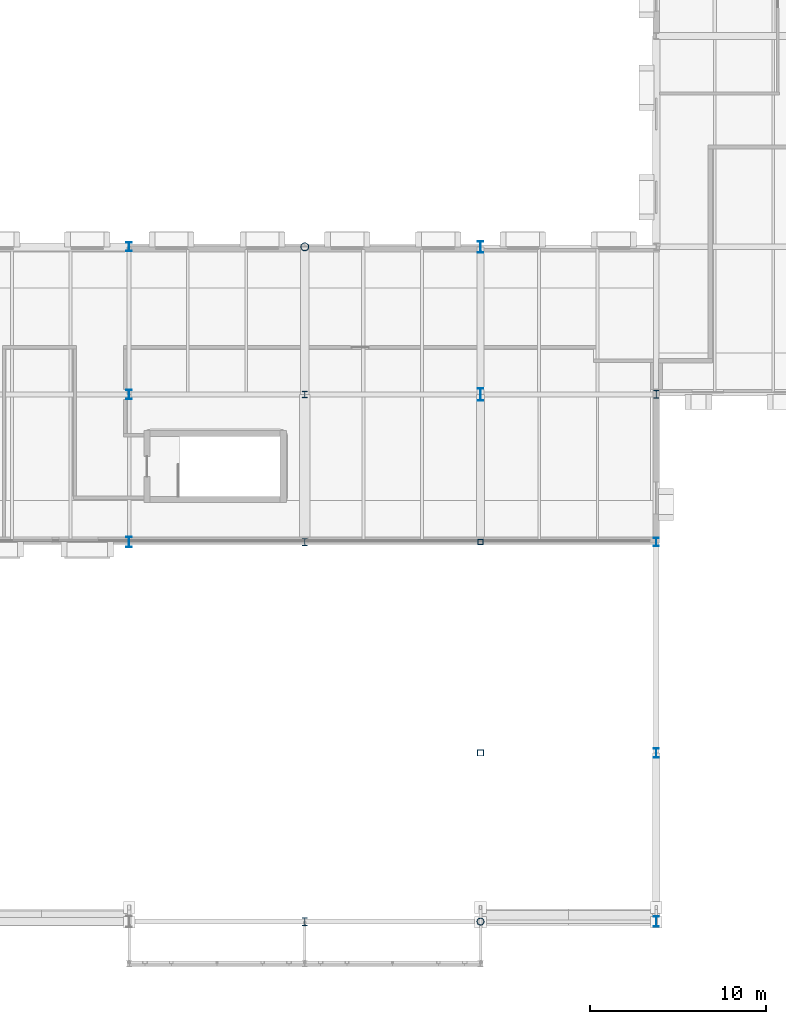
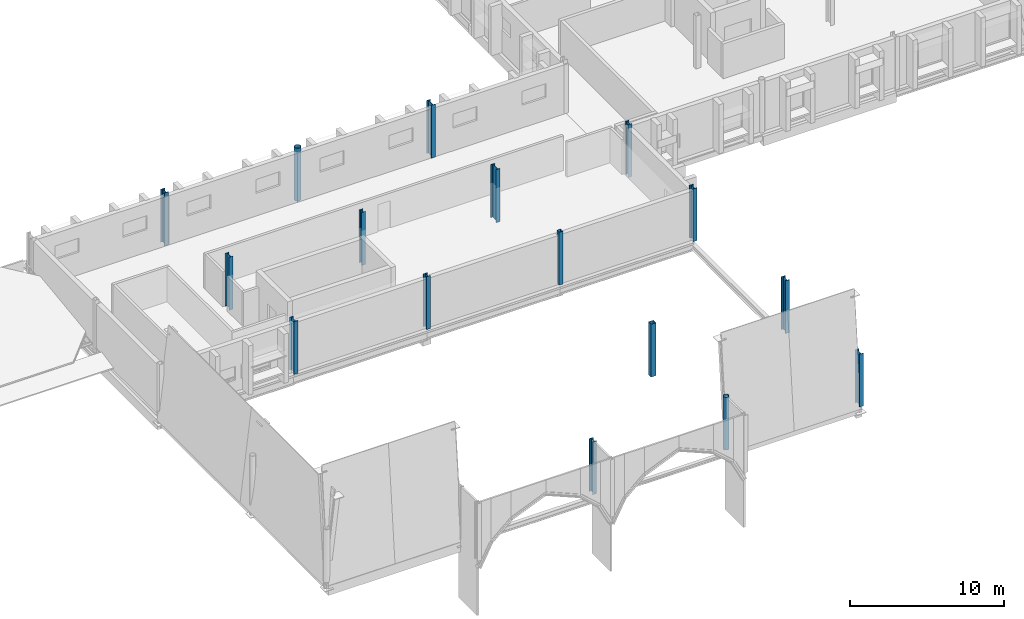
# One storey, part 17 of 90: 16 columns.
"""IFC4 building model written with IfcOpenShell, lengths in metres."""

from ifc_helpers import new_model, si_unit, direction, frame, origin, origin_2d, place, context, subcontext, project, spatial, hollow_rectangle, hollow_circle, i_section, extrude, material, material_profile, profile_set, type_object, element, save


model = new_model("IFC4")

# Units and contexts
model_context = context("Model", 3, precision=1e-05, world=origin(), true_north=direction((0.0, 1.0)))
body_context = subcontext(model_context, "Body", "Model", "MODEL_VIEW")
ifc_project = project(units=[si_unit("LENGTHUNIT", "METRE"), si_unit("AREAUNIT", "SQUARE_METRE"), si_unit("VOLUMEUNIT", "CUBIC_METRE"), si_unit("PLANEANGLEUNIT", "RADIAN"), si_unit("MASSUNIT", "GRAM", prefix="KILO")], contexts=[model_context])

# Site, building, storey
site_placement = place(None, origin())
site = spatial("IfcSite", under=ifc_project, at=site_placement, CompositionType="ELEMENT")
building_placement = place(site_placement, origin())
building = spatial("IfcBuilding", under=site, at=building_placement, Name="Zereglee Splitstone Museum", CompositionType="ELEMENT")
storey_placement = place(building_placement, frame((0.0, 0.0, 4.800048828125)))
storey = spatial("IfcBuildingStorey", under=building, at=storey_placement, Name="L01", CompositionType="ELEMENT", Elevation=4.800048828125)

# Columns
ifc_material_1 = material(Name="Steel S355J2H", Category="steel")
ifc_material_profile_1 = material_profile(ifc_material_1, hollow_circle(Radius=0.203125, WallThickness=0.02001953125, at=origin_2d()), Name="CHS 406.4x20")
ifc_profile_set_1 = profile_set([ifc_material_profile_1], Name="Steel S355J2H")
column_type_1 = type_object("IfcColumnType", Name="C-18", PredefinedType="COLUMN", material=ifc_profile_set_1)
column_1_placement = place(storey_placement, frame((286.0, 0.0, 0.0), z_axis=(0.0, 0.0, 1.0), x_axis=(1.0, 0.0, 0.0)))
element("IfcColumn", 1, at=column_1_placement, inside=storey, type_object=column_type_1, Name="Column 32/A L01", PredefinedType="COLUMN", context=body_context, shape_type="SweptSolid", body=[
    extrude(hollow_circle(Radius=0.203125, WallThickness=0.02001953125, at=origin_2d()), origin(), (0.0, 0.0, 1.0), 4.199951171875),
])
ifc_material_profile_2 = material_profile(ifc_material_1, hollow_circle(Radius=0.228515625, WallThickness=0.02001953125, at=origin_2d()), Name="CHS 457.0x20")
ifc_profile_set_2 = profile_set([ifc_material_profile_2], Name="Steel S355J2H")
column_type_2 = type_object("IfcColumnType", Name="C-17", PredefinedType="COLUMN", material=ifc_profile_set_2)
column_2_placement = place(storey_placement, frame((276.0, 38.39990234375, 0.0), z_axis=(0.0, 0.0, 1.0), x_axis=(1.0, 0.0, 0.0)))
element("IfcColumn", 2, at=column_2_placement, inside=storey, type_object=column_type_2, Name="Column 31/E L01", PredefinedType="COLUMN", context=body_context, shape_type="SweptSolid", body=[
    extrude(hollow_circle(Radius=0.228515625, WallThickness=0.02001953125, at=origin_2d()), origin(), (0.0, 0.0, 1.0), 4.199951171875),
])
ifc_material_2 = material(Name="Steel S355J2", Category="steel")
ifc_material_profile_3 = material_profile(ifc_material_2, i_section(OverallWidth=0.300048828125, OverallDepth=0.360107421875, WebThickness=0.012451171875, FlangeThickness=0.0224609375, FilletRadius=0.027099609375, at=origin_2d()), Name="HE 360 B")
ifc_profile_set_3 = profile_set([ifc_material_profile_3], Name="Steel S355J2")
column_type_3 = type_object("IfcColumnType", Name="C-16", PredefinedType="COLUMN", material=ifc_profile_set_3)
column_3_placement = place(storey_placement, frame((276.0, 30.0, 0.0), z_axis=(0.0, 0.0, 1.0), x_axis=(1.0, 0.0, 0.0)))
element("IfcColumn", 3, at=column_3_placement, inside=storey, type_object=column_type_3, Name="Column 31/D L01", PredefinedType="COLUMN", context=body_context, shape_type="SweptSolid", body=[
    extrude(i_section(OverallWidth=0.300048828125, OverallDepth=0.360107421875, WebThickness=0.012451171875, FlangeThickness=0.0224609375, FilletRadius=0.027099609375, at=origin_2d()), origin(), (0.0, 0.0, 1.0), 4.199951171875),
])
ifc_material_profile_4 = material_profile(ifc_material_2, i_section(OverallWidth=0.300048828125, OverallDepth=0.39990234375, WebThickness=0.013427734375, FlangeThickness=0.02392578125, FilletRadius=0.027099609375, at=origin_2d()), Name="HE 400 B")
ifc_profile_set_4 = profile_set([ifc_material_profile_4], Name="Steel S355J2")
column_type_4 = type_object("IfcColumnType", Name="C-15", PredefinedType="COLUMN", material=ifc_profile_set_4)
column_4_placement = place(storey_placement, frame((276.0, 21.60009765625, 0.0), z_axis=(0.0, 0.0, 1.0), x_axis=(1.0, 0.0, 0.0)))
element("IfcColumn", 4, at=column_4_placement, inside=storey, type_object=column_type_4, Name="Column 31/C L01", PredefinedType="COLUMN", context=body_context, shape_type="SweptSolid", body=[
    extrude(i_section(OverallWidth=0.300048828125, OverallDepth=0.39990234375, WebThickness=0.013427734375, FlangeThickness=0.02392578125, FilletRadius=0.027099609375, at=origin_2d()), origin(), (0.0, 0.0, 1.0), 4.199951171875),
])
ifc_material_profile_5 = material_profile(ifc_material_2, i_section(OverallWidth=0.300048828125, OverallDepth=0.449951171875, WebThickness=0.013916015625, FlangeThickness=0.02587890625, FilletRadius=0.027099609375, at=origin_2d()), Name="HE 450 B")
ifc_profile_set_5 = profile_set([ifc_material_profile_5], Name="Steel S355J2")
column_type_5 = type_object("IfcColumnType", Name="C-14", PredefinedType="COLUMN", material=ifc_profile_set_5)
for number, where, z_axis, x_axis, name in (
    (5, (276.0, 0.0, 0.0), (0.0, 0.0, 1.0), (1.0, 0.0, 0.0), "Column 31/A L01"),
    (6, (296.0, 30.0, 0.0), (0.0, 0.0, 1.0), (1.0, 0.0, 0.0), "Column 33/D L01"),
):
    element("IfcColumn", number, at=place(storey_placement, frame(where, z_axis=z_axis, x_axis=x_axis)), inside=storey, type_object=column_type_5, Name=name, PredefinedType="COLUMN", context=body_context, shape_type="SweptSolid", body=[
        extrude(i_section(OverallWidth=0.300048828125, OverallDepth=0.449951171875, WebThickness=0.013916015625, FlangeThickness=0.02587890625, FilletRadius=0.027099609375, at=origin_2d()), origin(), (0.0, 0.0, 1.0), 4.199951171875),
    ])
ifc_material_profile_6 = material_profile(ifc_material_2, i_section(OverallWidth=0.300048828125, OverallDepth=0.5, WebThickness=0.014404296875, FlangeThickness=0.028076171875, FilletRadius=0.027099609375, at=origin_2d()), Name="HE 500 B")
ifc_profile_set_6 = profile_set([ifc_material_profile_6], Name="Steel S355J2")
column_type_6 = type_object("IfcColumnType", Name="C-13", PredefinedType="COLUMN", material=ifc_profile_set_6)
for number, where, z_axis, x_axis, name in (
    (7, (266.0, 38.39990234375, 0.0), (0.0, 0.0, 1.0), (1.0, 0.0, 0.0), "Column 30/E L01"),
    (8, (296.0, 21.60009765625, 0.0), (0.0, 0.0, 1.0), (1.0, 0.0, 0.0), "Column 33/C L01"),
):
    element("IfcColumn", number, at=place(storey_placement, frame(where, z_axis=z_axis, x_axis=x_axis)), inside=storey, type_object=column_type_6, Name=name, PredefinedType="COLUMN", context=body_context, shape_type="SweptSolid", body=[
        extrude(i_section(OverallWidth=0.300048828125, OverallDepth=0.5, WebThickness=0.014404296875, FlangeThickness=0.028076171875, FilletRadius=0.027099609375, at=origin_2d()), origin(), (0.0, 0.0, 1.0), 4.199951171875),
    ])
ifc_material_profile_7 = material_profile(ifc_material_2, i_section(OverallWidth=0.300048828125, OverallDepth=0.550048828125, WebThickness=0.014892578125, FlangeThickness=0.029052734375, FilletRadius=0.027099609375, at=origin_2d()), Name="HE 550 B")
ifc_profile_set_7 = profile_set([ifc_material_profile_7], Name="Steel S355J2")
column_type_7 = type_object("IfcColumnType", Name="C-12", PredefinedType="COLUMN", material=ifc_profile_set_7)
for number, where, z_axis, x_axis, name in (
    (9, (266.0, 30.0, 0.0), (0.0, 0.0, 1.0), (1.0, 0.0, 0.0), "Column 30/D L01"),
    (10, (296.0, 9.60009765625, 0.0), (0.0, 0.0, 1.0), (1.0, 0.0, 0.0), "Column 33/B L01"),
):
    element("IfcColumn", number, at=place(storey_placement, frame(where, z_axis=z_axis, x_axis=x_axis)), inside=storey, type_object=column_type_7, Name=name, PredefinedType="COLUMN", context=body_context, shape_type="SweptSolid", body=[
        extrude(i_section(OverallWidth=0.300048828125, OverallDepth=0.550048828125, WebThickness=0.014892578125, FlangeThickness=0.029052734375, FilletRadius=0.027099609375, at=origin_2d()), origin(), (0.0, 0.0, 1.0), 4.199951171875),
    ])
ifc_material_profile_8 = material_profile(ifc_material_2, i_section(OverallWidth=0.300048828125, OverallDepth=0.60009765625, WebThickness=0.015380859375, FlangeThickness=0.030029296875, FilletRadius=0.027099609375, at=origin_2d()), Name="HE 600 B")
ifc_profile_set_8 = profile_set([ifc_material_profile_8], Name="Steel S355J2")
column_type_8 = type_object("IfcColumnType", Name="C-11", PredefinedType="COLUMN", material=ifc_profile_set_8)
for number, where, z_axis, x_axis, name in (
    (11, (266.0, 21.60009765625, 0.0), (0.0, 0.0, 1.0), (1.0, 0.0, 0.0), "Column 30/C L01"),
    (12, (296.0, 0.0, 0.0), (0.0, 0.0, 1.0), (1.0, 0.0, 0.0), "Column 33/A L01"),
):
    element("IfcColumn", number, at=place(storey_placement, frame(where, z_axis=z_axis, x_axis=x_axis)), inside=storey, type_object=column_type_8, Name=name, PredefinedType="COLUMN", context=body_context, shape_type="SweptSolid", body=[
        extrude(i_section(OverallWidth=0.300048828125, OverallDepth=0.60009765625, WebThickness=0.015380859375, FlangeThickness=0.030029296875, FilletRadius=0.027099609375, at=origin_2d()), origin(), (0.0, 0.0, 1.0), 4.199951171875),
    ])
ifc_material_profile_9 = material_profile(ifc_material_2, i_section(OverallWidth=0.300048828125, OverallDepth=0.64990234375, WebThickness=0.01611328125, FlangeThickness=0.031005859375, FilletRadius=0.027099609375, at=origin_2d()), Name="HE 650 B")
ifc_profile_set_9 = profile_set([ifc_material_profile_9], Name="Steel S355J2")
column_type_9 = type_object("IfcColumnType", Name="C-10", PredefinedType="COLUMN", material=ifc_profile_set_9)
column_5_placement = place(storey_placement, frame((286.0, 38.39990234375, 0.0), z_axis=(0.0, 0.0, 1.0), x_axis=(1.0, 0.0, 0.0)))
element("IfcColumn", 13, at=column_5_placement, inside=storey, type_object=column_type_9, Name="Column 32/E L01", PredefinedType="COLUMN", context=body_context, shape_type="SweptSolid", body=[
    extrude(i_section(OverallWidth=0.300048828125, OverallDepth=0.64990234375, WebThickness=0.01611328125, FlangeThickness=0.031005859375, FilletRadius=0.027099609375, at=origin_2d()), origin(), (0.0, 0.0, 1.0), 4.199951171875),
])
ifc_material_profile_10 = material_profile(ifc_material_2, i_section(OverallWidth=0.300048828125, OverallDepth=0.699951171875, WebThickness=0.01708984375, FlangeThickness=0.031982421875, FilletRadius=0.027099609375, at=origin_2d()), Name="HE 700 B")
ifc_profile_set_10 = profile_set([ifc_material_profile_10], Name="Steel S355J2")
column_type_10 = type_object("IfcColumnType", Name="C-09", PredefinedType="COLUMN", material=ifc_profile_set_10)
column_6_placement = place(storey_placement, frame((286.0, 30.0, 0.0), z_axis=(0.0, 0.0, 1.0), x_axis=(1.0, 0.0, 0.0)))
element("IfcColumn", 14, at=column_6_placement, inside=storey, type_object=column_type_10, Name="Column 32/D L01", PredefinedType="COLUMN", context=body_context, shape_type="SweptSolid", body=[
    extrude(i_section(OverallWidth=0.300048828125, OverallDepth=0.699951171875, WebThickness=0.01708984375, FlangeThickness=0.031982421875, FilletRadius=0.027099609375, at=origin_2d()), origin(), (0.0, 0.0, 1.0), 4.199951171875),
])
ifc_material_profile_11 = material_profile(ifc_material_1, hollow_rectangle(XDim=0.300048828125, YDim=0.300048828125, WallThickness=0.01611328125, at=origin_2d()), Name="SHS 300x300x16")
ifc_profile_set_11 = profile_set([ifc_material_profile_11], Name="Steel S355J2H")
column_type_11 = type_object("IfcColumnType", Name="C-20", PredefinedType="COLUMN", material=ifc_profile_set_11)
column_7_placement = place(storey_placement, frame((286.0, 21.60009765625, 0.0), z_axis=(0.0, 0.0, 1.0), x_axis=(1.0, 0.0, 0.0)))
element("IfcColumn", 15, at=column_7_placement, inside=storey, type_object=column_type_11, Name="Column 32/C L01", PredefinedType="COLUMN", context=body_context, shape_type="SweptSolid", body=[
    extrude(hollow_rectangle(XDim=0.300048828125, YDim=0.300048828125, WallThickness=0.01611328125, at=origin_2d()), origin(), (0.0, 0.0, 1.0), 4.199951171875),
])
ifc_material_profile_12 = material_profile(ifc_material_1, hollow_rectangle(XDim=0.35009765625, YDim=0.35009765625, WallThickness=0.01611328125, at=origin_2d()), Name="SHS 350x350x16")
ifc_profile_set_12 = profile_set([ifc_material_profile_12], Name="Steel S355J2H")
column_type_12 = type_object("IfcColumnType", Name="C-19", PredefinedType="COLUMN", material=ifc_profile_set_12)
column_8_placement = place(storey_placement, frame((286.0, 9.60009765625, 0.0), z_axis=(0.0, 0.0, 1.0), x_axis=(1.0, 0.0, 0.0)))
element("IfcColumn", 16, at=column_8_placement, inside=storey, type_object=column_type_12, Name="Column 32/B L01", PredefinedType="COLUMN", context=body_context, shape_type="SweptSolid", body=[
    extrude(hollow_rectangle(XDim=0.35009765625, YDim=0.35009765625, WallThickness=0.01611328125, at=origin_2d()), origin(), (0.0, 0.0, 1.0), 4.199951171875),
])

save(model, "model.ifc")
